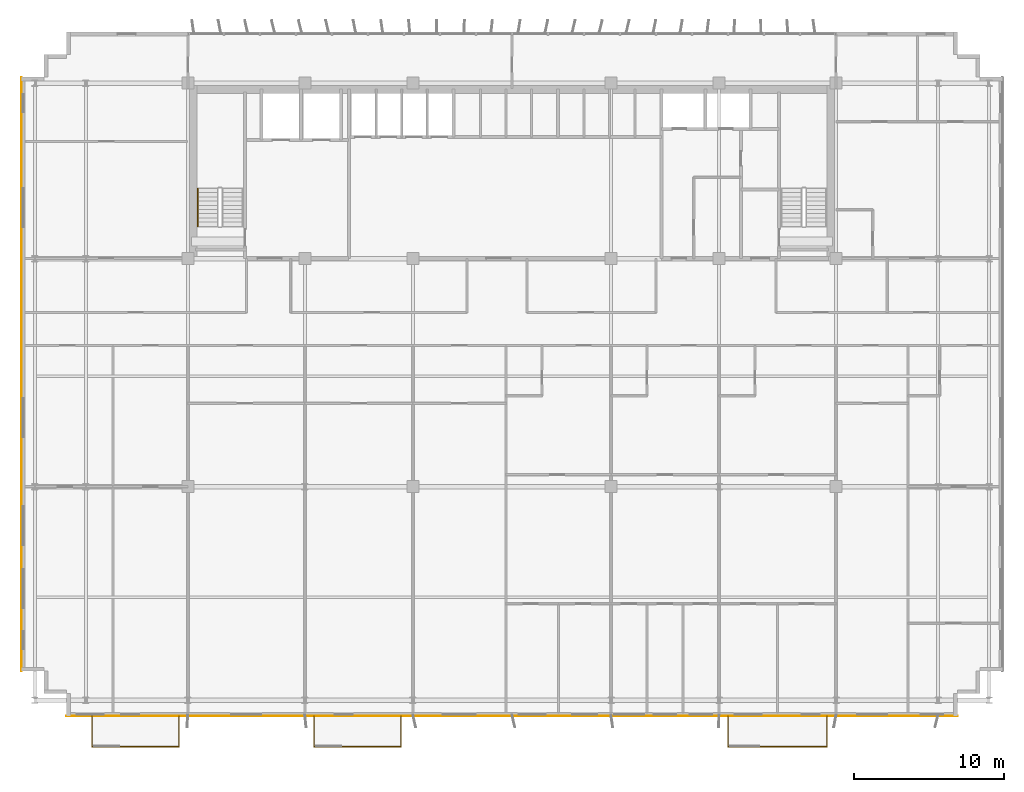
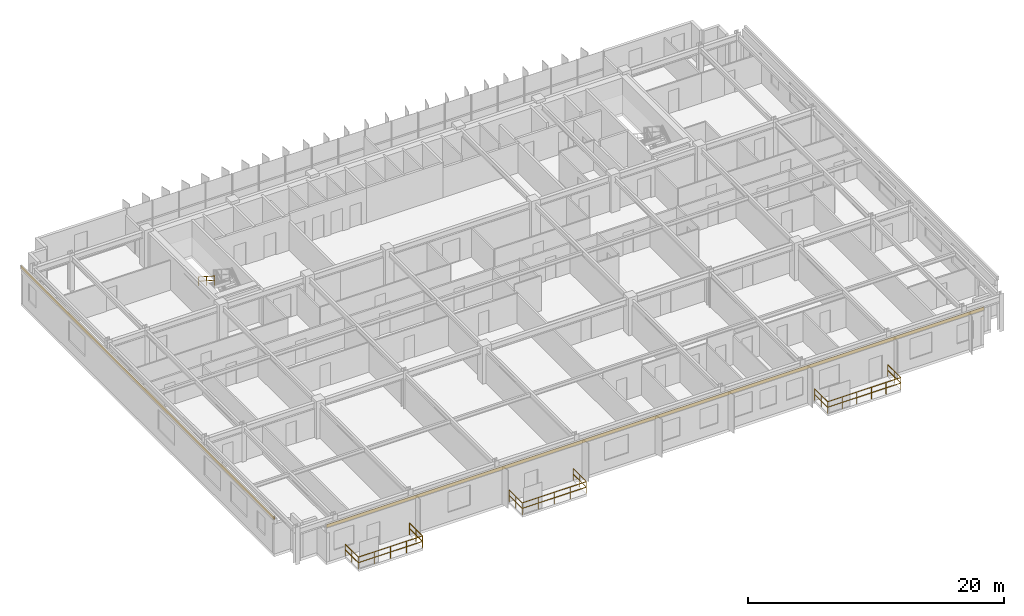
# One storey, part 20 of 22: 10 railings, 2 coverings.
"""IFC4 building model written with IfcOpenShell, lengths in metres."""

from ifc_helpers import new_model, si_unit, direction, frame, origin, origin_2d, place, context, subcontext, project, spatial, rectangle, extrude, source, transform, mapped, material, layer, layer_set, type_object, element, save


model = new_model("IFC4")

# Units and contexts
model_context = context("Model", 3, precision=1e-05, world=origin(), true_north=direction((0.0, 1.0)))
body_context = subcontext(model_context, "Body", "Model", "MODEL_VIEW")
ifc_project = project(units=[si_unit("LENGTHUNIT", "METRE"), si_unit("AREAUNIT", "SQUARE_METRE"), si_unit("VOLUMEUNIT", "CUBIC_METRE"), si_unit("PLANEANGLEUNIT", "RADIAN"), si_unit("MASSUNIT", "GRAM", prefix="KILO")], contexts=[model_context])

# Site, building, storey
site_placement = place(None, origin())
site = spatial("IfcSite", under=ifc_project, at=site_placement, CompositionType="ELEMENT")
building_placement = place(site_placement, origin())
building = spatial("IfcBuilding", under=site, at=building_placement, Name="Trelvane Seafront Commons", CompositionType="ELEMENT")
storey_placement = place(building_placement, frame((0.0, 0.0, 88.89990234375)))
storey = spatial("IfcBuildingStorey", under=building, at=storey_placement, Name="L22", CompositionType="ELEMENT", Elevation=88.89990234375)

# Railings
ifc_material_1 = material(Name="Stainless steel balustrade", Category="steel")
railing_type_1 = type_object("IfcRailingType", Name="ARCH-RAIL-BAL1150", PredefinedType="BALUSTRADE", material=ifc_material_1)
railing_1_placement = place(storey_placement, frame((9.199951171875, 2.89990234375, 0.0)))
element("IfcRailing", 1, at=railing_1_placement, inside=storey, type_object=railing_type_1, Name="RL-L22-BAL0-01", PredefinedType="BALUSTRADE", context=body_context, shape_type="SweptSolid", body=[
    extrude(rectangle(XDim=0.048095703125, YDim=0.048095703125, at=origin_2d()), frame((0.0, 0.0, 1.1259765625), z_axis=(0.0, -1.0, 0.0), x_axis=(1.0, 0.0, 0.0)), (0.0, 0.0, 1.0), 2.039794921875),
    extrude(rectangle(XDim=0.048095703125, YDim=0.048095703125, at=origin_2d()), frame((0.0, 0.0, 0.597900390625), z_axis=(0.0, -1.0, 0.0), x_axis=(1.0, 0.0, 0.0)), (0.0, 0.0, 1.0), 2.039794921875),
    extrude(rectangle(XDim=0.0419921875, YDim=0.0419921875, at=origin_2d()), origin(), (0.0, 0.0, 1.0), 1.1259765625),
    extrude(rectangle(XDim=0.0419921875, YDim=0.0419921875, at=origin_2d()), frame((0.0, -1.02001953125, 0.0)), (0.0, 0.0, 1.0), 1.1259765625),
    extrude(rectangle(XDim=0.0419921875, YDim=0.0419921875, at=origin_2d()), frame((0.0, -2.039794921875, 0.0)), (0.0, 0.0, 1.0), 1.1259765625),
])
railing_2_placement = place(storey_placement, frame((9.199951171875, 0.860107421875, 0.0)))
element("IfcRailing", 2, at=railing_2_placement, inside=storey, type_object=railing_type_1, Name="RL-L22-BAL0-02", PredefinedType="BALUSTRADE", context=body_context, shape_type="SweptSolid", body=[
    extrude(rectangle(XDim=0.048095703125, YDim=0.048095703125, at=origin_2d()), frame((0.0, 0.0, 1.1259765625), z_axis=(1.0, 0.0, 0.0), x_axis=(0.0, 1.0, 0.0)), (0.0, 0.0, 1.0), 5.800048828125),
    extrude(rectangle(XDim=0.048095703125, YDim=0.048095703125, at=origin_2d()), frame((0.0, 0.0, 0.597900390625), z_axis=(1.0, 0.0, 0.0), x_axis=(0.0, 1.0, 0.0)), (0.0, 0.0, 1.0), 5.800048828125),
    extrude(rectangle(XDim=0.0419921875, YDim=0.0419921875, at=origin_2d()), origin(), (0.0, 0.0, 1.0), 1.1259765625),
    extrude(rectangle(XDim=0.0419921875, YDim=0.0419921875, at=origin_2d()), frame((1.449951171875, 0.0, 0.0)), (0.0, 0.0, 1.0), 1.1259765625),
    extrude(rectangle(XDim=0.0419921875, YDim=0.0419921875, at=origin_2d()), frame((2.89990234375, 0.0, 0.0)), (0.0, 0.0, 1.0), 1.1259765625),
    extrude(rectangle(XDim=0.0419921875, YDim=0.0419921875, at=origin_2d()), frame((4.35009765625, 0.0, 0.0)), (0.0, 0.0, 1.0), 1.1259765625),
    extrude(rectangle(XDim=0.0419921875, YDim=0.0419921875, at=origin_2d()), frame((5.800048828125, 0.0, 0.0)), (0.0, 0.0, 1.0), 1.1259765625),
])
railing_3_placement = place(storey_placement, frame((15.0, 0.860107421875, 0.0)))
element("IfcRailing", 3, at=railing_3_placement, inside=storey, type_object=railing_type_1, Name="RL-L22-BAL0-03", PredefinedType="BALUSTRADE", context=body_context, shape_type="SweptSolid", body=[
    extrude(rectangle(XDim=0.048095703125, YDim=0.048095703125, at=origin_2d()), frame((0.0, 0.0, 1.1259765625), z_axis=(0.0, 1.0, 0.0), x_axis=(-1.0, 0.0, 0.0)), (0.0, 0.0, 1.0), 2.039794921875),
    extrude(rectangle(XDim=0.048095703125, YDim=0.048095703125, at=origin_2d()), frame((0.0, 0.0, 0.597900390625), z_axis=(0.0, 1.0, 0.0), x_axis=(-1.0, 0.0, 0.0)), (0.0, 0.0, 1.0), 2.039794921875),
    extrude(rectangle(XDim=0.0419921875, YDim=0.0419921875, at=origin_2d()), origin(), (0.0, 0.0, 1.0), 1.1259765625),
    extrude(rectangle(XDim=0.0419921875, YDim=0.0419921875, at=origin_2d()), frame((0.0, 1.02001953125, 0.0)), (0.0, 0.0, 1.0), 1.1259765625),
    extrude(rectangle(XDim=0.0419921875, YDim=0.0419921875, at=origin_2d()), frame((0.0, 2.039794921875, 0.0)), (0.0, 0.0, 1.0), 1.1259765625),
])
railing_4_placement = place(storey_placement, frame((24.0, 2.89990234375, 0.0)))
element("IfcRailing", 4, at=railing_4_placement, inside=storey, type_object=railing_type_1, Name="RL-L22-BAL1-01", PredefinedType="BALUSTRADE", context=body_context, shape_type="SweptSolid", body=[
    extrude(rectangle(XDim=0.048095703125, YDim=0.048095703125, at=origin_2d()), frame((0.0, 0.0, 1.1259765625), z_axis=(0.0, -1.0, 0.0), x_axis=(1.0, 0.0, 0.0)), (0.0, 0.0, 1.0), 2.039794921875),
    extrude(rectangle(XDim=0.048095703125, YDim=0.048095703125, at=origin_2d()), frame((0.0, 0.0, 0.597900390625), z_axis=(0.0, -1.0, 0.0), x_axis=(1.0, 0.0, 0.0)), (0.0, 0.0, 1.0), 2.039794921875),
    extrude(rectangle(XDim=0.0419921875, YDim=0.0419921875, at=origin_2d()), origin(), (0.0, 0.0, 1.0), 1.1259765625),
    extrude(rectangle(XDim=0.0419921875, YDim=0.0419921875, at=origin_2d()), frame((0.0, -1.02001953125, 0.0)), (0.0, 0.0, 1.0), 1.1259765625),
    extrude(rectangle(XDim=0.0419921875, YDim=0.0419921875, at=origin_2d()), frame((0.0, -2.039794921875, 0.0)), (0.0, 0.0, 1.0), 1.1259765625),
])
railing_5_placement = place(storey_placement, frame((24.0, 0.860107421875, 0.0)))
element("IfcRailing", 5, at=railing_5_placement, inside=storey, type_object=railing_type_1, Name="RL-L22-BAL1-02", PredefinedType="BALUSTRADE", context=body_context, shape_type="SweptSolid", body=[
    extrude(rectangle(XDim=0.048095703125, YDim=0.048095703125, at=origin_2d()), frame((0.0, 0.0, 1.1259765625), z_axis=(1.0, 0.0, 0.0), x_axis=(0.0, 1.0, 0.0)), (0.0, 0.0, 1.0), 5.800048828125),
    extrude(rectangle(XDim=0.048095703125, YDim=0.048095703125, at=origin_2d()), frame((0.0, 0.0, 0.597900390625), z_axis=(1.0, 0.0, 0.0), x_axis=(0.0, 1.0, 0.0)), (0.0, 0.0, 1.0), 5.800048828125),
    extrude(rectangle(XDim=0.0419921875, YDim=0.0419921875, at=origin_2d()), origin(), (0.0, 0.0, 1.0), 1.1259765625),
    extrude(rectangle(XDim=0.0419921875, YDim=0.0419921875, at=origin_2d()), frame((1.449951171875, 0.0, 0.0)), (0.0, 0.0, 1.0), 1.1259765625),
    extrude(rectangle(XDim=0.0419921875, YDim=0.0419921875, at=origin_2d()), frame((2.89990234375, 0.0, 0.0)), (0.0, 0.0, 1.0), 1.1259765625),
    extrude(rectangle(XDim=0.0419921875, YDim=0.0419921875, at=origin_2d()), frame((4.35009765625, 0.0, 0.0)), (0.0, 0.0, 1.0), 1.1259765625),
    extrude(rectangle(XDim=0.0419921875, YDim=0.0419921875, at=origin_2d()), frame((5.800048828125, 0.0, 0.0)), (0.0, 0.0, 1.0), 1.1259765625),
])
railing_6_placement = place(storey_placement, frame((29.800048828125, 0.860107421875, 0.0)))
element("IfcRailing", 6, at=railing_6_placement, inside=storey, type_object=railing_type_1, Name="RL-L22-BAL1-03", PredefinedType="BALUSTRADE", context=body_context, shape_type="SweptSolid", body=[
    extrude(rectangle(XDim=0.048095703125, YDim=0.048095703125, at=origin_2d()), frame((0.0, 0.0, 1.1259765625), z_axis=(0.0, 1.0, 0.0), x_axis=(-1.0, 0.0, 0.0)), (0.0, 0.0, 1.0), 2.039794921875),
    extrude(rectangle(XDim=0.048095703125, YDim=0.048095703125, at=origin_2d()), frame((0.0, 0.0, 0.597900390625), z_axis=(0.0, 1.0, 0.0), x_axis=(-1.0, 0.0, 0.0)), (0.0, 0.0, 1.0), 2.039794921875),
    extrude(rectangle(XDim=0.0419921875, YDim=0.0419921875, at=origin_2d()), origin(), (0.0, 0.0, 1.0), 1.1259765625),
    extrude(rectangle(XDim=0.0419921875, YDim=0.0419921875, at=origin_2d()), frame((0.0, 1.02001953125, 0.0)), (0.0, 0.0, 1.0), 1.1259765625),
    extrude(rectangle(XDim=0.0419921875, YDim=0.0419921875, at=origin_2d()), frame((0.0, 2.039794921875, 0.0)), (0.0, 0.0, 1.0), 1.1259765625),
])
railing_7_placement = place(storey_placement, frame((51.60009765625, 2.89990234375, 0.0)))
element("IfcRailing", 7, at=railing_7_placement, inside=storey, type_object=railing_type_1, Name="RL-L22-BAL2-01", PredefinedType="BALUSTRADE", context=body_context, shape_type="SweptSolid", body=[
    extrude(rectangle(XDim=0.048095703125, YDim=0.048095703125, at=origin_2d()), frame((0.0, 0.0, 1.1259765625), z_axis=(0.0, -1.0, 0.0), x_axis=(1.0, 0.0, 0.0)), (0.0, 0.0, 1.0), 2.039794921875),
    extrude(rectangle(XDim=0.048095703125, YDim=0.048095703125, at=origin_2d()), frame((0.0, 0.0, 0.597900390625), z_axis=(0.0, -1.0, 0.0), x_axis=(1.0, 0.0, 0.0)), (0.0, 0.0, 1.0), 2.039794921875),
    extrude(rectangle(XDim=0.0419921875, YDim=0.0419921875, at=origin_2d()), origin(), (0.0, 0.0, 1.0), 1.1259765625),
    extrude(rectangle(XDim=0.0419921875, YDim=0.0419921875, at=origin_2d()), frame((0.0, -1.02001953125, 0.0)), (0.0, 0.0, 1.0), 1.1259765625),
    extrude(rectangle(XDim=0.0419921875, YDim=0.0419921875, at=origin_2d()), frame((0.0, -2.039794921875, 0.0)), (0.0, 0.0, 1.0), 1.1259765625),
])
railing_8_placement = place(storey_placement, frame((51.60009765625, 0.860107421875, 0.0)))
element("IfcRailing", 8, at=railing_8_placement, inside=storey, type_object=railing_type_1, Name="RL-L22-BAL2-02", PredefinedType="BALUSTRADE", context=body_context, shape_type="SweptSolid", body=[
    extrude(rectangle(XDim=0.048095703125, YDim=0.048095703125, at=origin_2d()), frame((0.0, 0.0, 1.1259765625), z_axis=(1.0, 0.0, 0.0), x_axis=(0.0, 1.0, 0.0)), (0.0, 0.0, 1.0), 6.599853515625),
    extrude(rectangle(XDim=0.048095703125, YDim=0.048095703125, at=origin_2d()), frame((0.0, 0.0, 0.597900390625), z_axis=(1.0, 0.0, 0.0), x_axis=(0.0, 1.0, 0.0)), (0.0, 0.0, 1.0), 6.599853515625),
    extrude(rectangle(XDim=0.0419921875, YDim=0.0419921875, at=origin_2d()), origin(), (0.0, 0.0, 1.0), 1.1259765625),
    extrude(rectangle(XDim=0.0419921875, YDim=0.0419921875, at=origin_2d()), frame((1.320068359375, 0.0, 0.0)), (0.0, 0.0, 1.0), 1.1259765625),
    extrude(rectangle(XDim=0.0419921875, YDim=0.0419921875, at=origin_2d()), frame((2.639892578125, 0.0, 0.0)), (0.0, 0.0, 1.0), 1.1259765625),
    extrude(rectangle(XDim=0.0419921875, YDim=0.0419921875, at=origin_2d()), frame((3.9599609375, 0.0, 0.0)), (0.0, 0.0, 1.0), 1.1259765625),
    extrude(rectangle(XDim=0.0419921875, YDim=0.0419921875, at=origin_2d()), frame((5.27978515625, 0.0, 0.0)), (0.0, 0.0, 1.0), 1.1259765625),
    extrude(rectangle(XDim=0.0419921875, YDim=0.0419921875, at=origin_2d()), frame((6.599853515625, 0.0, 0.0)), (0.0, 0.0, 1.0), 1.1259765625),
])
railing_9_placement = place(storey_placement, frame((58.199951171875, 0.860107421875, 0.0)))
element("IfcRailing", 9, at=railing_9_placement, inside=storey, type_object=railing_type_1, Name="RL-L22-BAL2-03", PredefinedType="BALUSTRADE", context=body_context, shape_type="SweptSolid", body=[
    extrude(rectangle(XDim=0.048095703125, YDim=0.048095703125, at=origin_2d()), frame((0.0, 0.0, 1.1259765625), z_axis=(0.0, 1.0, 0.0), x_axis=(-1.0, 0.0, 0.0)), (0.0, 0.0, 1.0), 2.039794921875),
    extrude(rectangle(XDim=0.048095703125, YDim=0.048095703125, at=origin_2d()), frame((0.0, 0.0, 0.597900390625), z_axis=(0.0, 1.0, 0.0), x_axis=(-1.0, 0.0, 0.0)), (0.0, 0.0, 1.0), 2.039794921875),
    extrude(rectangle(XDim=0.0419921875, YDim=0.0419921875, at=origin_2d()), origin(), (0.0, 0.0, 1.0), 1.1259765625),
    extrude(rectangle(XDim=0.0419921875, YDim=0.0419921875, at=origin_2d()), frame((0.0, 1.02001953125, 0.0)), (0.0, 0.0, 1.0), 1.1259765625),
    extrude(rectangle(XDim=0.0419921875, YDim=0.0419921875, at=origin_2d()), frame((0.0, 2.039794921875, 0.0)), (0.0, 0.0, 1.0), 1.1259765625),
])
railing_type_2 = type_object("IfcRailingType", Name="ARCH-SRL-HAND", PredefinedType="HANDRAIL", material=ifc_material_1)
railing_10_placement = place(storey_placement, frame((16.25, 38.070068359375, 1.97998046875)))
element("IfcRailing", 10, at=railing_10_placement, inside=storey, type_object=railing_type_2, Name="L22 ST-1 stair handrail 2", PredefinedType="HANDRAIL", context=body_context, shape_type="SweptSolid", body=[
    extrude(rectangle(XDim=0.048095703125, YDim=0.048095703125, at=origin_2d()), frame((0.0, 0.0, 0.8759765625), z_axis=(0.0, -0.841162588446, 0.540782303519), x_axis=(1.0, 0.0, 0.0)), (0.0, 0.0, 1.0), 2.995849609375),
    extrude(rectangle(XDim=0.048095703125, YDim=0.048095703125, at=origin_2d()), frame((0.0, 0.0, 0.468017578125), z_axis=(0.0, -0.841162588446, 0.540782303519), x_axis=(1.0, 0.0, 0.0)), (0.0, 0.0, 1.0), 2.995849609375),
    extrude(rectangle(XDim=0.0419921875, YDim=0.0419921875, at=origin_2d()), origin(), (0.0, 0.0, 1.0), 0.8759765625),
    extrude(rectangle(XDim=0.0419921875, YDim=0.0419921875, at=origin_2d()), frame((0.0, -1.260009765625, 0.81005859375)), (0.0, 0.0, 1.0), 0.8759765625),
    extrude(rectangle(XDim=0.0419921875, YDim=0.0419921875, at=origin_2d()), frame((0.0, -2.52001953125, 1.6201171875)), (0.0, 0.0, 1.0), 0.8759765625),
])

# Coverings
ifc_material_2 = material(Name="Anodised pale-silver aluminium", Category="aluminium")
ifc_layer = layer(ifc_material_2, 0.034912109375, Name="ARCH-COV-CLAD35")
ifc_layer_set = layer_set([ifc_layer], Name="Anodised pale-silver aluminium")
covering_type = type_object("IfcCoveringType", Name="ARCH-COV-CLAD35", PredefinedType="CLADDING", material=ifc_layer_set)
shared_shape_1 = source(origin(), body_context, "Body", "SweptSolid", [
    extrude(rectangle(XDim=39.60009765625, YDim=0.034912109375, at=origin_2d()), origin(), (0.0, 0.0, 1.0), 0.300048828125),
])
covering_1_placement = place(storey_placement, frame((4.5, 25.699951171875, 3.30029296875), z_axis=(0.0, 0.0, 1.0), x_axis=(0.0, 1.0, 0.0)))
element("IfcCovering", 11, at=covering_1_placement, inside=storey, type_object=covering_type, Name="CLD-L22-00097", PredefinedType="CLADDING", context=body_context, shape_type="MappedRepresentation", body=[
    mapped(shared_shape_1, transform((0.0, 0.0, 0.0), x_axis=(1.0, 0.0, 0.0), y_axis=(0.0, 1.0, 0.0), z_axis=(0.0, 0.0, 1.0), scale=1.0)),
])
shared_shape_2 = source(origin(), body_context, "Body", "SweptSolid", [
    extrude(rectangle(XDim=59.39990234375, YDim=0.034912109375, at=origin_2d()), origin(), (0.0, 0.0, 1.0), 0.300048828125),
])
covering_2_placement = place(storey_placement, frame((37.199951171875, 2.89990234375, 3.30029296875), z_axis=(0.0, 0.0, 1.0), x_axis=(-1.0, 0.0, 0.0)))
element("IfcCovering", 12, at=covering_2_placement, inside=storey, type_object=covering_type, Name="CLD-L22-00099", PredefinedType="CLADDING", context=body_context, shape_type="MappedRepresentation", body=[
    mapped(shared_shape_2, transform((0.0, 0.0, 0.0), x_axis=(1.0, 0.0, 0.0), y_axis=(0.0, 1.0, 0.0), z_axis=(0.0, 0.0, 1.0), scale=1.0)),
])

save(model, "model.ifc")
